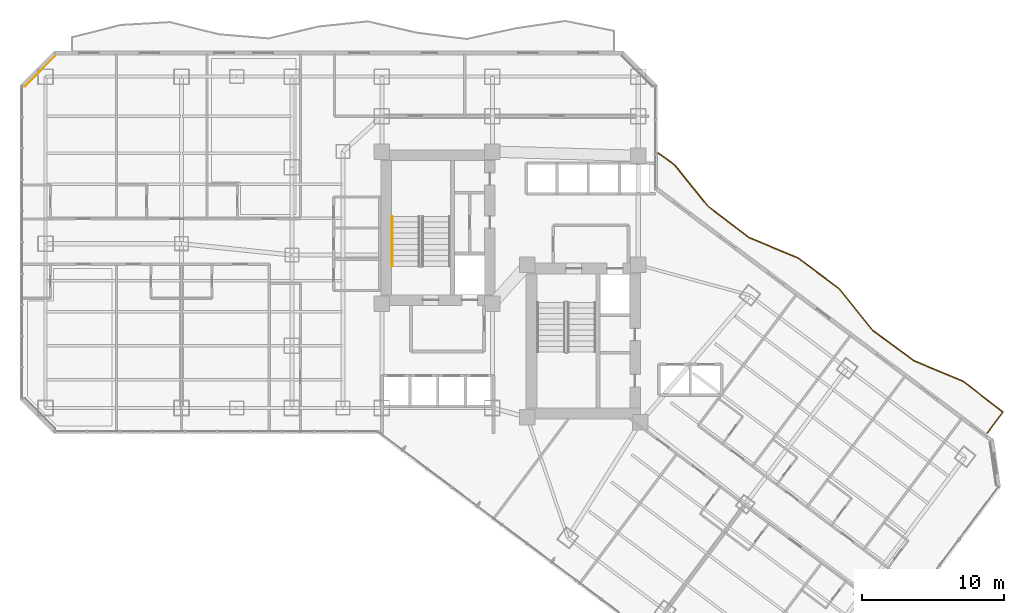
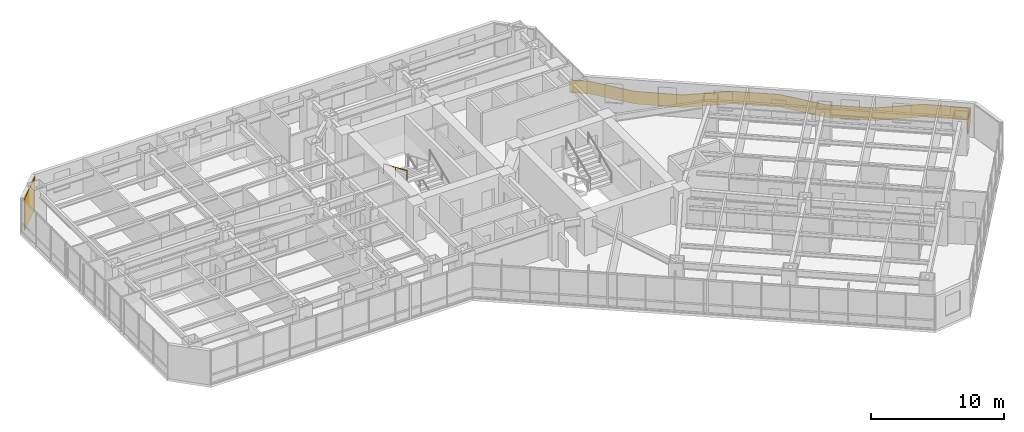
# One storey, part 36 of 38: 2 railings, 1 covering.
"""IFC4 building model written with IfcOpenShell, lengths in metres."""

from ifc_helpers import new_model, si_unit, direction, frame, origin, origin_2d, place, context, subcontext, project, spatial, polyline, rectangle, circle, outline, extrude, material, layer, layer_set, type_object, element, save


model = new_model("IFC4")

# Units and contexts
model_context = context("Model", 3, precision=1e-05, world=origin(), true_north=direction((0.0, 1.0)))
body_context = subcontext(model_context, "Body", "Model", "MODEL_VIEW")
ifc_project = project(units=[si_unit("LENGTHUNIT", "METRE"), si_unit("AREAUNIT", "SQUARE_METRE"), si_unit("VOLUMEUNIT", "CUBIC_METRE"), si_unit("PLANEANGLEUNIT", "RADIAN"), si_unit("MASSUNIT", "GRAM", prefix="KILO")], contexts=[model_context])

# Site, building, storey
site_placement = place(None, origin())
site = spatial("IfcSite", under=ifc_project, at=site_placement, CompositionType="ELEMENT")
building_placement = place(site_placement, origin())
building = spatial("IfcBuilding", under=site, at=building_placement, Name="Hatsunagi Terrace Concourse", CompositionType="ELEMENT")
storey_placement = place(building_placement, frame((0.0, 0.0, 63.39990234375)))
storey = spatial("IfcBuildingStorey", under=building, at=storey_placement, Name="L16", CompositionType="ELEMENT", Elevation=63.39990234375)

# Railings
ifc_material_1 = material(Name="Laminated Glass and Stainless Steel Guard", Category="steel")
ifc_layer_1 = layer(ifc_material_1, 0.070068359375)
ifc_layer_set_1 = layer_set([ifc_layer_1], Name="BalconyGlassGuardRail_1150")
railing_type_1 = type_object("IfcRailingType", Name="BalconyGlassGuardRail_1150", PredefinedType="BALUSTRADE", material=ifc_layer_set_1)
railing_1_placement = place(storey_placement, origin())
element("IfcRailing", 1, at=railing_1_placement, inside=storey, type_object=railing_type_1, Name="Engawa Balcony Guard GRD-01 L16-BSE-1", PredefinedType="BALUSTRADE", context=body_context, shape_type="SweptSolid", body=[
    extrude(outline(polyline([(45.066650390625, 43.245361328125), (45.025390625, 43.188720703125), (46.187744140625, 42.344482421875), (48.539306640625, 39.4267578125), (51.4443359375, 37.20849609375), (54.906494140625, 35.768310546875), (57.798583984375, 33.605712890625), (60.149658203125, 30.6845703125), (63.087646484375, 28.50927734375), (66.54931640625, 27.069580078125), (69.349365234375, 24.909423828125), (68.241943359375, 23.430908203125), (68.298095703125, 23.388916015625), (69.44677734375, 24.922607421875), (66.584716796875, 27.130615234375), (63.122314453125, 28.57080078125), (60.198486328125, 30.735595703125), (57.847412109375, 33.656494140625), (54.94140625, 35.82958984375), (51.4794921875, 37.26953125), (48.588623046875, 39.477294921875), (46.236328125, 42.3955078125), (45.066650390625, 43.245361328125)])), origin(), (0.0, 0.0, 1.0), 1.150146484375),
])
ifc_material_2 = material(Name="Stainless steel", Category="steel")
ifc_layer_2 = layer(ifc_material_2, 0.044921875)
ifc_layer_set_2 = layer_set([ifc_layer_2], Name="StairPitchHandrail_Tower2000")
railing_type_2 = type_object("IfcRailingType", Name="StairPitchHandrail_Tower2000", PredefinedType="HANDRAIL", material=ifc_layer_set_2)
railing_2_placement = place(storey_placement, frame((26.280029296875, 38.7099609375, 1.842529296875)))
element("IfcRailing", 2, at=railing_2_placement, inside=storey, type_object=railing_type_2, Name="L16 ST-A stair handrail 2", PredefinedType="HANDRAIL", context=body_context, shape_type="SweptSolid", body=[
    extrude(circle(Radius=0.02392578125, at=origin_2d()), frame((0.0, 0.0, 0.8759765625), z_axis=(0.0, -0.918834009242, 0.394644223904), x_axis=(1.0, 0.0, 0.0)), (0.0, 0.0, 1.0), 3.820068359375),
    extrude(circle(Radius=0.02099609375, at=origin_2d()), origin(), (0.0, 0.0, 1.0), 0.851806640625),
    extrude(circle(Radius=0.02099609375, at=origin_2d()), frame((0.0, -1.7548828125, 0.75390625)), (0.0, 0.0, 1.0), 0.851806640625),
    extrude(circle(Radius=0.02099609375, at=origin_2d()), frame((0.0, -3.510009765625, 1.507568359375)), (0.0, 0.0, 1.0), 0.851806640625),
])

# Covering
ifc_material_3 = material(Name="Unglazed Warm Terracotta Rainscreen Tile", Category="masonry")
ifc_layer_3 = layer(ifc_material_3, 0.044921875)
ifc_layer_set_3 = layer_set([ifc_layer_3], Name="TerracottaRainscreenCladding_45")
covering_type = type_object("IfcCoveringType", Name="TerracottaRainscreenCladding_45", PredefinedType="CLADDING", material=ifc_layer_set_3)
covering_placement = place(storey_placement, frame((1.4140625, 48.986083984375, 0.10009765625), z_axis=(0.0, 0.0, 1.0), x_axis=(0.707106781187, 0.707106781187, 0.0)))
element("IfcCovering", 3, at=covering_placement, inside=storey, type_object=covering_type, Name="Terracotta Rainscreen Cladding L16-10", PredefinedType="CLADDING", context=body_context, shape_type="SweptSolid", body=[
    extrude(rectangle(XDim=3.0380859375, YDim=0.044921875, at=origin_2d()), origin(), (0.0, 0.0, 1.0), 2.929931640625),
])

save(model, "model.ifc")
